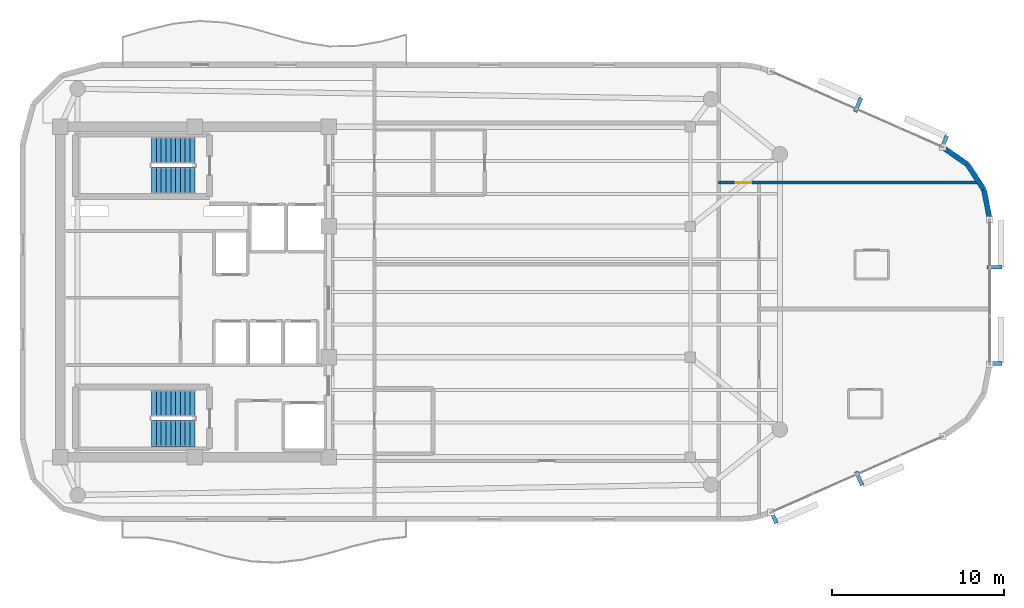
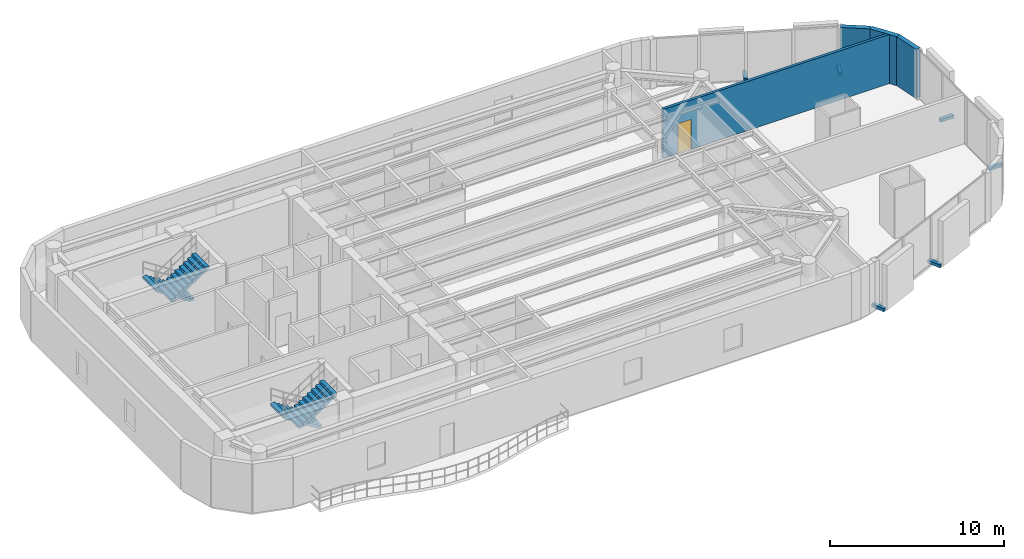
# One storey, part 10 of 12: 6 discrete accessories, 4 stair flights, 4 walls, 1 door, 1 opening, 2 elements without a shape of their own.
"""IFC4 building model written with IfcOpenShell, lengths in metres."""

import ifcopenshell
import ifcopenshell.guid

model = None  # the IFC model being written
_history = None  # IfcOwnerHistory: only IFC2X3 demands one
_inside = {}  # id of a spatial element -> (the spatial element, [elements in it])
_under = {}  # id of a project, library or spatial element -> (it, [spatial elements below it])
_declared = {}  # id of a project -> (the project, [libraries it declares])
_typed = {}  # id of a type object -> (the type object, [elements of that type])
_made_of = {}  # id of a material, layer set ... -> (it, [elements and type objects made of it])


def new_model(schema):
    """Start an empty IFC model of exactly this schema.

    Asked for "IFC4X3", IfcOpenShell would pick the latest addendum, in which some entities
    have other attributes; the version numbers below select the first issue.
    IFC2X3 requires an IfcOwnerHistory on every rooted entity: one is made here for all.
    """
    global model, _history
    if schema == "IFC4X3":
        model = ifcopenshell.file(schema_version=(4, 3, 0, 0))
    else:
        model = ifcopenshell.file(schema=schema)
    _inside.clear()
    _under.clear()
    _declared.clear()
    _typed.clear()
    _made_of.clear()
    _history = None
    if model.schema == "IFC2X3":
        org = make("IfcOrganization", Name="unknown")
        user = make(
            "IfcPersonAndOrganization",
            ThePerson=make("IfcPerson", FamilyName="unknown"),
            TheOrganization=org,
        )
        app = make(
            "IfcApplication",
            ApplicationDeveloper=org,
            Version="unknown",
            ApplicationFullName="unknown",
            ApplicationIdentifier="unknown",
        )
        _history = make(
            "IfcOwnerHistory",
            OwningUser=user,
            OwningApplication=app,
            ChangeAction="ADDED",
            CreationDate=0,
        )
    return model


def make(cls, **values):
    """One entity of the class cls with the attributes given. An attribute that is None is left unset."""
    return model.create_entity(
        cls, **{name: value for name, value in values.items() if value is not None}
    )


def rooted(cls, **values):
    """An entity with a GlobalId (a new one), such as an element, a storey or a relation."""
    return make(cls, GlobalId=ifcopenshell.guid.new(), OwnerHistory=_history, **values)


def si_unit(unit_type, name, prefix=None):
    """IfcSIUnit, for example si_unit("LENGTHUNIT", "METRE", prefix="MILLI")."""
    return make("IfcSIUnit", UnitType=unit_type, Prefix=prefix, Name=name)


def assignment(units):
    """IfcUnitAssignment: the units of a project."""
    return None if units is None else make("IfcUnitAssignment", Units=units)


def point(xyz):
    """IfcCartesianPoint."""
    return None if xyz is None else make("IfcCartesianPoint", Coordinates=xyz)


def direction(xyz):
    """IfcDirection."""
    return None if xyz is None else make("IfcDirection", DirectionRatios=xyz)


def frame(location, z_axis=None, x_axis=None):
    """IfcAxis2Placement3D, a coordinate frame: its origin and axes. An axis left out is left unset."""
    return make(
        "IfcAxis2Placement3D",
        Location=point(location),
        Axis=direction(z_axis),
        RefDirection=direction(x_axis),
    )


def frame_2d(location, x_axis=None):
    """IfcAxis2Placement2D, a coordinate frame in the plane: its origin and x axis."""
    return make(
        "IfcAxis2Placement2D", Location=point(location), RefDirection=direction(x_axis)
    )


def origin():
    """The frame at (0, 0, 0) with its axes left unset."""
    return frame((0.0, 0.0, 0.0))


def origin_2d():
    """The frame at (0, 0) in the plane with its x axis left unset."""
    return frame_2d((0.0, 0.0))


def place(relative_to, where):
    """IfcLocalPlacement: puts the frame where relative to a parent placement (None: the world)."""
    return make(
        "IfcLocalPlacement", PlacementRelTo=relative_to, RelativePlacement=where
    )


def context(
    kind, dimensions, precision=None, world=None, true_north=None, identifier=None
):
    """IfcGeometricRepresentationContext, for example the 3D "Model" context."""
    return make(
        "IfcGeometricRepresentationContext",
        ContextIdentifier=identifier,
        ContextType=kind,
        CoordinateSpaceDimension=dimensions,
        Precision=precision,
        WorldCoordinateSystem=world,
        TrueNorth=true_north,
    )


def subcontext(parent, identifier, kind, view, scale=None):
    """IfcGeometricRepresentationSubContext, for example "Body" below "Model"."""
    return make(
        "IfcGeometricRepresentationSubContext",
        ContextIdentifier=identifier,
        ContextType=kind,
        ParentContext=parent,
        TargetScale=scale,
        TargetView=view,
    )


def project(units=None, contexts=None):
    """IfcProject with its units and contexts."""
    return rooted(
        "IfcProject",
        Name="project",
        RepresentationContexts=contexts,
        UnitsInContext=assignment(units),
    )


def spatial(cls, under=None, at=None, **own):
    """A site, building, storey or space (cls), placed at a placement, below another one or the project."""
    s = rooted(cls, ObjectPlacement=at, **own)
    if under is not None:
        _under.setdefault(under.id(), (under, []))[1].append(s)
    return s


def polyline(points):
    """IfcPolyline through the points."""
    return make("IfcPolyline", Points=[point(p) for p in points])


def profile(cls, at=None, kind="AREA", **sizes):
    """A parametric profile (cls). Its sizes go by their IFC names, for example OverallWidth=200.0."""
    return make(cls, ProfileType=kind, Position=at, **sizes)


def rectangle(**sizes):
    """IfcRectangleProfileDef."""
    return profile("IfcRectangleProfileDef", **sizes)


def outline(outer, holes=None, kind="AREA"):
    """IfcArbitraryClosedProfileDef: a profile drawn as a closed curve; with holes, ...WithVoids."""
    if holes is None:
        return make("IfcArbitraryClosedProfileDef", ProfileType=kind, OuterCurve=outer)
    return make(
        "IfcArbitraryProfileDefWithVoids",
        ProfileType=kind,
        OuterCurve=outer,
        InnerCurves=holes,
    )


def extrude(swept, where, along, depth):
    """IfcExtrudedAreaSolid: the profile swept, set in the frame where, extruded along a direction by depth."""
    return make(
        "IfcExtrudedAreaSolid",
        SweptArea=swept,
        Position=where,
        ExtrudedDirection=direction(along),
        Depth=depth,
    )


def shape(context_of_items, identifier, shape_type, items):
    """IfcShapeRepresentation: the items that make up one representation, for example the "Body"."""
    return make(
        "IfcShapeRepresentation",
        ContextOfItems=context_of_items,
        RepresentationIdentifier=identifier,
        RepresentationType=shape_type,
        Items=items,
    )


def material(Name=None, Category=None):
    """IfcMaterial."""
    return make("IfcMaterial", Name=Name, Category=Category)


def layer(
    of_material, thickness, ventilated=None, Name=None, Category=None, Priority=None
):
    """IfcMaterialLayer: one layer of a wall or slab, of a material (None: an air gap)."""
    return make(
        "IfcMaterialLayer",
        Material=of_material,
        LayerThickness=thickness,
        IsVentilated=ventilated,
        Name=Name,
        Category=Category,
        Priority=Priority,
    )


def layer_set(layers, Name=None):
    """IfcMaterialLayerSet."""
    return make("IfcMaterialLayerSet", MaterialLayers=layers, LayerSetName=Name)


def made_of(thing, what):
    """Note that an element or type object is made of a material, layer set ...; save() writes the relation."""
    if what is not None:
        _made_of.setdefault(what.id(), (what, []))[1].append(thing)
    return thing


def type_object(cls, material=None, **own):
    """A type object (cls), such as IfcWallType, which elements share."""
    return made_of(rooted(cls, **own), material)


def element(
    cls,
    number,
    at=None,
    inside=None,
    cuts=None,
    type_object=None,
    material=None,
    context=None,
    identifier="Body",
    shape_type=None,
    held_by="IfcProductDefinitionShape",
    body=None,
    shapes=None,
    **own,
):
    """One element of the class cls, such as IfcWall. Its Tag is "e" and its number.

    at: its placement. inside: the storey or other place that contains it. cuts: it is an
    opening in that element (IfcRelVoidsElement). A single representation is given by context,
    identifier, shape_type and body (its items); several are given by shapes. held_by: the class
    of the entity that holds the representations. save() writes the other relations.
    """
    e = rooted(cls, Tag="e%d" % number, ObjectPlacement=at, **own)
    if body is not None:
        shapes = [shape(context, identifier, shape_type, body)]
    if shapes is not None:
        e.Representation = make(held_by, Representations=shapes)
    if inside is not None:
        _inside.setdefault(inside.id(), (inside, []))[1].append(e)
    if cuts is not None:
        rooted(
            "IfcRelVoidsElement", RelatingBuildingElement=cuts, RelatedOpeningElement=e
        )
    if type_object is not None:
        _typed.setdefault(type_object.id(), (type_object, []))[1].append(e)
    return made_of(e, material)


def fill(opening, filler):
    """IfcRelFillsElement: the door or window that sits in an opening."""
    return rooted(
        "IfcRelFillsElement",
        RelatingOpeningElement=opening,
        RelatedBuildingElement=filler,
    )


def aggregate(whole, parts):
    """IfcRelAggregates: a whole, such as a stair, and the parts it consists of."""
    return rooted("IfcRelAggregates", RelatingObject=whole, RelatedObjects=parts)


def save(model, path):
    """Write the relations noted so far, then the file.

    IfcRelAggregates (storeys below a building ...), IfcRelContainedInSpatialStructure (elements
    in a storey), IfcRelDefinesByType, IfcRelAssociatesMaterial and IfcRelDeclares: one each for
    every whole, place, type object, material and project.
    """
    for whole, parts in _under.values():
        aggregate(whole, parts)
    for where, things in _inside.values():
        rooted(
            "IfcRelContainedInSpatialStructure",
            RelatedElements=things,
            RelatingStructure=where,
        )
    for kind, things in _typed.values():
        rooted("IfcRelDefinesByType", RelatedObjects=things, RelatingType=kind)
    for what, things in _made_of.values():
        rooted("IfcRelAssociatesMaterial", RelatedObjects=things, RelatingMaterial=what)
    for by, libraries in _declared.values():
        rooted("IfcRelDeclares", RelatingContext=by, RelatedDefinitions=libraries)
    model.write(path)


model = new_model("IFC4")

# Units and contexts
model_context = context("Model", 3, precision=1e-05, world=origin(), true_north=direction((0.0, 1.0)))
body_context = subcontext(model_context, "Body", "Model", "MODEL_VIEW")
ifc_project = project(units=[si_unit("LENGTHUNIT", "METRE"), si_unit("AREAUNIT", "SQUARE_METRE"), si_unit("VOLUMEUNIT", "CUBIC_METRE"), si_unit("PLANEANGLEUNIT", "RADIAN"), si_unit("MASSUNIT", "GRAM", prefix="KILO")], contexts=[model_context])

# Site, building, storey
site_placement = place(None, origin())
site = spatial("IfcSite", under=ifc_project, at=site_placement, CompositionType="ELEMENT")
building_placement = place(site_placement, origin())
building = spatial("IfcBuilding", under=site, at=building_placement, Name="An Khanh Terracotta Commons", CompositionType="ELEMENT")
storey_placement = place(building_placement, frame((0.0, 0.0, 258.800048828125)))
storey = spatial("IfcBuildingStorey", under=building, at=storey_placement, Name="L67", CompositionType="ELEMENT", Elevation=258.800048828125)

# Wall, opening, door
ifc_material_1 = material(Name="Fire-Rated Gypsum Board on Steel Stud", Category="steel")
ifc_layer_1 = layer(ifc_material_1, 0.179931640625, Name="Fire-Rated Gypsum Board on Steel Stud")
ifc_layer_set_1 = layer_set([ifc_layer_1], Name="Fire-Rated Gypsum Board on Steel Stud")
wall_type_1 = type_object("IfcWallType", Name="WALL-CORR-180", PredefinedType="PARTITIONING", material=ifc_layer_set_1)
wall_1_placement = place(storey_placement, frame((59.85009765625, 30.35009765625, 0.0), z_axis=(0.0, 0.0, 1.0), x_axis=(1.0, 0.0, 0.0)))
wall_1 = element("IfcWall", 1, at=wall_1_placement, inside=storey, type_object=wall_type_1, Name="L67 Interior Partition IW-L67-E007", PredefinedType="PARTITIONING", context=body_context, shape_type="SweptSolid", body=[
    extrude(rectangle(XDim=15.138916015625, YDim=0.179931640625, at=frame_2d((7.5693359375, 0.0))), origin(), (0.0, 0.0, 1.0), 3.449951171875),
])
opening_placement = place(wall_1_placement, frame((0.97509765625, 0.0, 0.0)))
opening = element("IfcOpeningElement", 2, at=opening_placement, cuts=wall_1, Name="Opening D-RM", PredefinedType="OPENING", context=body_context, shape_type="SweptSolid", body=[
    extrude(rectangle(XDim=0.919921875, YDim=2.10009765625, at=frame_2d((0.4599609375, 1.050048828125))), frame((0.0, 0.099853515625, 0.0), z_axis=(0.0, -1.0, 0.0), x_axis=(1.0, 0.0, 0.0)), (0.0, 0.0, 1.0), 0.199951171875),
])
ifc_material_2 = material(Name="Engineered Hardwood Timber Leaf", Category="wood")
door_type = type_object("IfcDoorType", Name="DOOR-INT-920", OperationType="NOTDEFINED", PredefinedType="DOOR", material=ifc_material_2)
door_placement = place(opening_placement, origin())
door = element("IfcDoor", 3, at=door_placement, inside=storey, type_object=door_type, Name="L67 NCAP Quiet Focus Office Door", OperationType="SINGLE_SWING_LEFT", OverallHeight=2.10009765625, OverallWidth=0.919921875, PredefinedType="DOOR", context=body_context, shape_type="SweptSolid", body=[
    extrude(rectangle(XDim=0.919921875, YDim=2.10009765625, at=frame_2d((0.4599609375, 1.050048828125))), frame((0.0, 0.02490234375, 0.0), z_axis=(0.0, -1.0, 0.0), x_axis=(1.0, 0.0, 0.0)), (0.0, 0.0, 1.0), 0.050048828125),
])
fill(opening, door)

# Walls
ifc_material_3 = material(Name="Precast concrete C40/50", Category="concrete")
ifc_layer_2 = layer(ifc_material_3, 0.300048828125, Name="Precast concrete C40/50")
ifc_layer_set_2 = layer_set([ifc_layer_2], Name="Precast concrete C40/50")
wall_type_2 = type_object("IfcWallType", Name="WALL-EXT-300", PredefinedType="SOLIDWALL", material=ifc_layer_set_2)
for number, where, z_axis, x_axis, name in (
    (4, (75.60009765625, 28.201904296875, 0.0), (0.0, 0.0, 1.0), (-0.1915005851, 0.981492499159, 0.0), "L67 Insulated Terracotta Exterior Wall 13"),
    (5, (75.262939453125, 29.929931640625, 0.0), (0.0, 0.0, 1.0), (-0.545836224831, 0.837891887813, 0.0), "L67 Insulated Terracotta Exterior Wall 14"),
):
    element("IfcWall", number, at=place(storey_placement, frame(where, z_axis=z_axis, x_axis=x_axis)), inside=storey, type_object=wall_type_2, Name=name, PredefinedType="SOLIDWALL", context=body_context, shape_type="SweptSolid", body=[
        extrude(rectangle(XDim=1.760498046875, YDim=0.300048828125, at=frame_2d((0.88037109375, 0.0))), origin(), (0.0, 0.0, 1.0), 3.449951171875),
    ])
wall_2_placement = place(storey_placement, frame((74.302001953125, 31.405029296875, 0.0), z_axis=(0.0, 0.0, 1.0), x_axis=(-0.821006966142, 0.570918174124, 0.0)))
element("IfcWall", 6, at=wall_2_placement, inside=storey, type_object=wall_type_2, Name="L67 Insulated Terracotta Exterior Wall 15", PredefinedType="SOLIDWALL", context=body_context, shape_type="SweptSolid", body=[
    extrude(rectangle(XDim=1.760009765625, YDim=0.300048828125, at=frame_2d((0.8798828125, 0.0))), origin(), (0.0, 0.0, 1.0), 3.449951171875),
])

# Stair, stair flights
stair_type = type_object("IfcStairType", Name="STAIR-CORE-1550", PredefinedType="HALF_TURN_STAIR", material=ifc_material_3)
stair_1_placement = place(storey_placement, origin())
stair_1 = element("IfcStair", 7, at=stair_1_placement, inside=storey, type_object=stair_type, Name="L67 Core Smokeproof Exit Stair ST-01", PredefinedType="HALF_TURN_STAIR")
stair_flight_type = type_object("IfcStairFlightType", Name="FLIGHT-CORE-1550", PredefinedType="STRAIGHT", material=ifc_material_3)
stair_flight_1_placement = place(storey_placement, frame((29.409912109375, 32.22509765625, 0.0), z_axis=(0.0, 0.0, 1.0), x_axis=(-1.0, 0.0, 0.0)))
stair_flight_1 = element("IfcStairFlight", 8, at=stair_flight_1_placement, type_object=stair_flight_type, Name="ST-01 flight 1", NumberOfRisers=10, NumberOfTreads=9, PredefinedType="STRAIGHT", RiserHeight=0.1825, TreadLength=0.28, context=body_context, shape_type="SweptSolid", body=[
    extrude(outline(polyline([(0.0, 0.0), (0.0, 0.1826171875), (0.280029296875, 0.1826171875), (0.280029296875, 0.364990234375), (0.56005859375, 0.364990234375), (0.56005859375, 0.547607421875), (0.840087890625, 0.547607421875), (0.840087890625, 0.72998046875), (1.1201171875, 0.72998046875), (1.1201171875, 0.91259765625), (1.39990234375, 0.91259765625), (1.39990234375, 1.094970703125), (1.679931640625, 1.094970703125), (1.679931640625, 1.277587890625), (1.9599609375, 1.277587890625), (1.9599609375, 1.4599609375), (2.239990234375, 1.4599609375), (2.239990234375, 1.642578125), (2.52001953125, 1.642578125), (2.52001953125, 1.824951171875), (2.52001953125, 1.463623046875), (0.2744140625, 0.0), (0.0, 0.0)])), frame((0.0, 0.77490234375, 0.0), z_axis=(0.0, -1.0, 0.0), x_axis=(1.0, 0.0, 0.0)), (0.0, 0.0, 1.0), 1.550048828125),
])
stair_flight_2_placement = place(storey_placement, frame((26.889892578125, 30.47509765625, 1.824951171875), z_axis=(0.0, 0.0, 1.0), x_axis=(1.0, 0.0, 0.0)))
stair_flight_2 = element("IfcStairFlight", 9, at=stair_flight_2_placement, type_object=stair_flight_type, Name="ST-01 flight 2", NumberOfRisers=10, NumberOfTreads=9, PredefinedType="STRAIGHT", RiserHeight=0.1825, TreadLength=0.28, context=body_context, shape_type="SweptSolid", body=[
    extrude(outline(polyline([(0.0, 0.0), (0.0, 0.1826171875), (0.280029296875, 0.1826171875), (0.280029296875, 0.364990234375), (0.56005859375, 0.364990234375), (0.56005859375, 0.547607421875), (0.840087890625, 0.547607421875), (0.840087890625, 0.72998046875), (1.1201171875, 0.72998046875), (1.1201171875, 0.91259765625), (1.39990234375, 0.91259765625), (1.39990234375, 1.094970703125), (1.679931640625, 1.094970703125), (1.679931640625, 1.277587890625), (1.9599609375, 1.277587890625), (1.9599609375, 1.4599609375), (2.239990234375, 1.4599609375), (2.239990234375, 1.642578125), (2.52001953125, 1.642578125), (2.52001953125, 1.824951171875), (2.52001953125, 1.463623046875), (0.2744140625, 0.0), (0.0, 0.0)])), frame((0.0, 0.77490234375, 0.0), z_axis=(0.0, -1.0, 0.0), x_axis=(1.0, 0.0, 0.0)), (0.0, 0.0, 1.0), 1.550048828125),
])
aggregate(stair_1, [stair_flight_1, stair_flight_2])

stair_2_placement = place(storey_placement, origin())
stair_2 = element("IfcStair", 10, at=stair_2_placement, inside=storey, type_object=stair_type, Name="L67 Core Smokeproof Exit Stair ST-02", PredefinedType="HALF_TURN_STAIR")
stair_flight_3_placement = place(storey_placement, frame((29.409912109375, 17.52490234375, 0.0), z_axis=(0.0, 0.0, 1.0), x_axis=(-1.0, 0.0, 0.0)))
stair_flight_3 = element("IfcStairFlight", 11, at=stair_flight_3_placement, type_object=stair_flight_type, Name="ST-02 flight 1", NumberOfRisers=10, NumberOfTreads=9, PredefinedType="STRAIGHT", RiserHeight=0.1825, TreadLength=0.28, context=body_context, shape_type="SweptSolid", body=[
    extrude(outline(polyline([(0.0, 0.0), (0.0, 0.1826171875), (0.280029296875, 0.1826171875), (0.280029296875, 0.364990234375), (0.56005859375, 0.364990234375), (0.56005859375, 0.547607421875), (0.840087890625, 0.547607421875), (0.840087890625, 0.72998046875), (1.1201171875, 0.72998046875), (1.1201171875, 0.91259765625), (1.39990234375, 0.91259765625), (1.39990234375, 1.094970703125), (1.679931640625, 1.094970703125), (1.679931640625, 1.277587890625), (1.9599609375, 1.277587890625), (1.9599609375, 1.4599609375), (2.239990234375, 1.4599609375), (2.239990234375, 1.642578125), (2.52001953125, 1.642578125), (2.52001953125, 1.824951171875), (2.52001953125, 1.463623046875), (0.2744140625, 0.0), (0.0, 0.0)])), frame((0.0, 0.77490234375, 0.0), z_axis=(0.0, -1.0, 0.0), x_axis=(1.0, 0.0, 0.0)), (0.0, 0.0, 1.0), 1.550048828125),
])
stair_flight_4_placement = place(storey_placement, frame((26.889892578125, 15.77490234375, 1.824951171875), z_axis=(0.0, 0.0, 1.0), x_axis=(1.0, 0.0, 0.0)))
stair_flight_4 = element("IfcStairFlight", 12, at=stair_flight_4_placement, type_object=stair_flight_type, Name="ST-02 flight 2", NumberOfRisers=10, NumberOfTreads=9, PredefinedType="STRAIGHT", RiserHeight=0.1825, TreadLength=0.28, context=body_context, shape_type="SweptSolid", body=[
    extrude(outline(polyline([(0.0, 0.0), (0.0, 0.1826171875), (0.280029296875, 0.1826171875), (0.280029296875, 0.364990234375), (0.56005859375, 0.364990234375), (0.56005859375, 0.547607421875), (0.840087890625, 0.547607421875), (0.840087890625, 0.72998046875), (1.1201171875, 0.72998046875), (1.1201171875, 0.91259765625), (1.39990234375, 0.91259765625), (1.39990234375, 1.094970703125), (1.679931640625, 1.094970703125), (1.679931640625, 1.277587890625), (1.9599609375, 1.277587890625), (1.9599609375, 1.4599609375), (2.239990234375, 1.4599609375), (2.239990234375, 1.642578125), (2.52001953125, 1.642578125), (2.52001953125, 1.824951171875), (2.52001953125, 1.463623046875), (0.2744140625, 0.0), (0.0, 0.0)])), frame((0.0, 0.77490234375, 0.0), z_axis=(0.0, -1.0, 0.0), x_axis=(1.0, 0.0, 0.0)), (0.0, 0.0, 1.0), 1.550048828125),
])
aggregate(stair_2, [stair_flight_3, stair_flight_4])

# Discrete accessories
ifc_material_4 = material(Name="Stainless Steel Grade 316L", Category="steel")
discrete_accessory_type = type_object("IfcDiscreteAccessoryType", Name="Stainless Outrigger Facade Bracket", PredefinedType="BRACKET", material=ifc_material_4)
for number, where, z_axis, x_axis, name in (
    (13, (63.02587890625, 10.962890625, 0.06982421875), (0.0, 0.0, 1.0), (0.914901853201, 0.403676354285, 0.0), "L67 Terracotta Screen Outrigger Bracket 1"),
    (14, (68.010986328125, 13.162109375, 0.06982421875), (0.0, 0.0, 1.0), (0.914901853201, 0.403676354285, 0.0), "L67 Terracotta Screen Outrigger Bracket 3"),
    (15, (75.864990234375, 19.8330078125, 0.06982421875), (0.0, 0.0, 1.0), (0.0, 1.0, 0.0), "L67 Terracotta Screen Outrigger Bracket 1"),
    (16, (75.864990234375, 25.43603515625, 0.06982421875), (0.0, 0.0, 1.0), (0.0, 1.0, 0.0), "L67 Terracotta Screen Outrigger Bracket 3"),
    (17, (72.931884765625, 32.6669921875, 0.06982421875), (0.0, 0.0, 1.0), (-0.914901853201, 0.403676354285, 0.0), "L67 Terracotta Screen Outrigger Bracket 1"),
    (18, (67.947021484375, 34.865966796875, 0.06982421875), (0.0, 0.0, 1.0), (-0.914901853201, 0.403676354285, 0.0), "L67 Terracotta Screen Outrigger Bracket 3"),
):
    element("IfcDiscreteAccessory", number, at=place(storey_placement, frame(where, z_axis=z_axis, x_axis=x_axis)), inside=storey, type_object=discrete_accessory_type, Name=name, PredefinedType="BRACKET", context=body_context, shape_type="SweptSolid", body=[
        extrude(rectangle(XDim=0.219970703125, YDim=0.8701171875, at=origin_2d()), origin(), (0.0, 0.0, 1.0), 0.219970703125),
    ])

save(model, "model.ifc")
